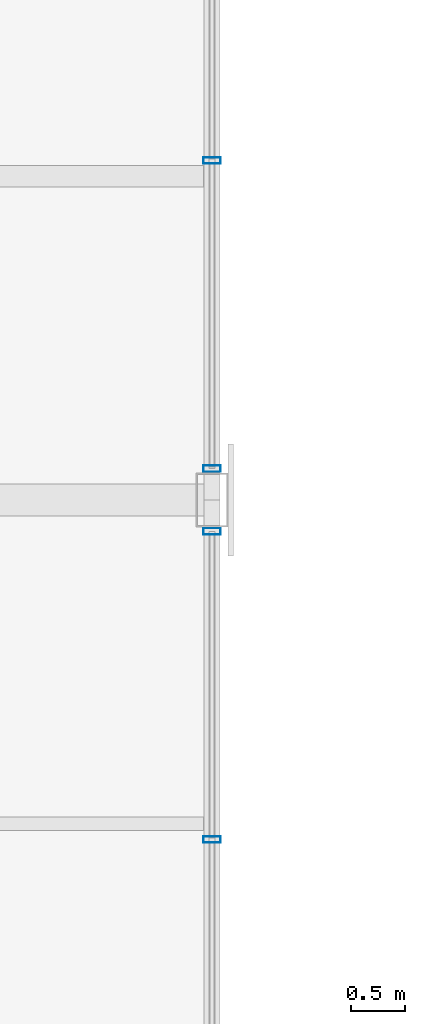
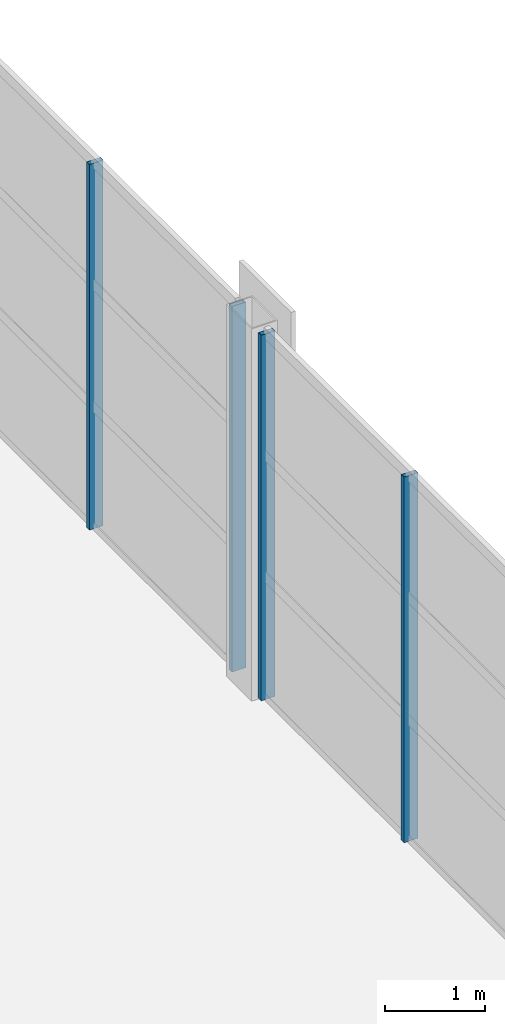
# One storey, part 49 of 86: 4 members, 2 elements without a shape of their own.
"""IFC4 building model written with IfcOpenShell, lengths in metres."""

from ifc_helpers import new_model, si_unit, direction, frame, origin, origin_2d, place, context, subcontext, project, spatial, hollow_rectangle, extrude, material, material_profile, profile_set, type_object, element, aggregate, save


model = new_model("IFC4")

# Units and contexts
model_context = context("Model", 3, precision=1e-05, world=origin(), true_north=direction((0.0, 1.0)))
body_context = subcontext(model_context, "Body", "Model", "MODEL_VIEW")
ifc_project = project(units=[si_unit("LENGTHUNIT", "METRE"), si_unit("AREAUNIT", "SQUARE_METRE"), si_unit("VOLUMEUNIT", "CUBIC_METRE"), si_unit("PLANEANGLEUNIT", "RADIAN"), si_unit("MASSUNIT", "GRAM", prefix="KILO")], contexts=[model_context])

# Site, building, storey
site_placement = place(None, origin())
site = spatial("IfcSite", under=ifc_project, at=site_placement, CompositionType="ELEMENT")
building_placement = place(site_placement, origin())
building = spatial("IfcBuilding", under=site, at=building_placement, Name="Solvikara Media Centre", CompositionType="ELEMENT")
storey_placement = place(building_placement, frame((0.0, 0.0, 15.0)))
storey = spatial("IfcBuildingStorey", under=building, at=storey_placement, Name="L03", CompositionType="ELEMENT", Elevation=15.0)

# Curtain wall, members
ifc_material = material(Name="Anodised aluminium EN AW-6063", Category="aluminium")
curtain_wall_type = type_object("IfcCurtainWallType", Name="CW-07", PredefinedType="NOTDEFINED", material=ifc_material)
curtain_wall_1_placement = place(storey_placement, origin())
curtain_wall_1 = element("IfcCurtainWall", 1, at=curtain_wall_1_placement, inside=storey, type_object=curtain_wall_type, Name="CW-L03-V4E-S2", PredefinedType="NOTDEFINED")
ifc_material_profile = material_profile(ifc_material, hollow_rectangle(XDim=0.06005859375, YDim=0.159912109375, WallThickness=0.00341796875, at=origin_2d()), Name="ALU-M 60x160x3.5")
ifc_profile_set = profile_set([ifc_material_profile], Name="Anodised aluminium EN AW-6063")
member_type = type_object("IfcMemberType", Name="MF-04", PredefinedType="MULLION", material=ifc_profile_set)
member_1_placement = place(storey_placement, frame((34.0, 65.35498046875, 0.02001953125), z_axis=(0.0, 0.0, 1.0), x_axis=(0.0, 1.0, 0.0)))
member_1 = element("IfcMember", 2, at=member_1_placement, type_object=member_type, Name="CW-L03-V4E-S2-M03", PredefinedType="MULLION", context=body_context, shape_type="SweptSolid", body=[
    extrude(hollow_rectangle(XDim=0.06005859375, YDim=0.159912109375, WallThickness=0.00341796875, at=origin_2d()), origin(), (0.0, 0.0, 1.0), 4.4599609375),
])
member_2_placement = place(storey_placement, frame((34.0, 68.2099609375, 0.02001953125), z_axis=(0.0, 0.0, 1.0), x_axis=(0.0, 1.0, 0.0)))
member_2 = element("IfcMember", 3, at=member_2_placement, type_object=member_type, Name="CW-L03-V4E-S2-M04", PredefinedType="MULLION", context=body_context, shape_type="SweptSolid", body=[
    extrude(hollow_rectangle(XDim=0.06005859375, YDim=0.159912109375, WallThickness=0.00341796875, at=origin_2d()), origin(), (0.0, 0.0, 1.0), 4.4599609375),
])
aggregate(curtain_wall_1, [member_1, member_2])

curtain_wall_2_placement = place(storey_placement, origin())
curtain_wall_2 = element("IfcCurtainWall", 4, at=curtain_wall_2_placement, inside=storey, type_object=curtain_wall_type, Name="CW-L03-V4E-S3", PredefinedType="NOTDEFINED")
member_3_placement = place(storey_placement, frame((34.0, 68.7900390625, 0.02001953125), z_axis=(0.0, 0.0, 1.0), x_axis=(0.0, 1.0, 0.0)))
member_3 = element("IfcMember", 5, at=member_3_placement, type_object=member_type, Name="CW-L03-V4E-S3-M00", PredefinedType="MULLION", context=body_context, shape_type="SweptSolid", body=[
    extrude(hollow_rectangle(XDim=0.06005859375, YDim=0.159912109375, WallThickness=0.00341796875, at=origin_2d()), origin(), (0.0, 0.0, 1.0), 4.4599609375),
])
member_4_placement = place(storey_placement, frame((34.0, 71.64501953125, 0.02001953125), z_axis=(0.0, 0.0, 1.0), x_axis=(0.0, 1.0, 0.0)))
member_4 = element("IfcMember", 6, at=member_4_placement, type_object=member_type, Name="CW-L03-V4E-S3-M01", PredefinedType="MULLION", context=body_context, shape_type="SweptSolid", body=[
    extrude(hollow_rectangle(XDim=0.06005859375, YDim=0.159912109375, WallThickness=0.00341796875, at=origin_2d()), origin(), (0.0, 0.0, 1.0), 4.4599609375),
])
aggregate(curtain_wall_2, [member_3, member_4])

save(model, "model.ifc")
